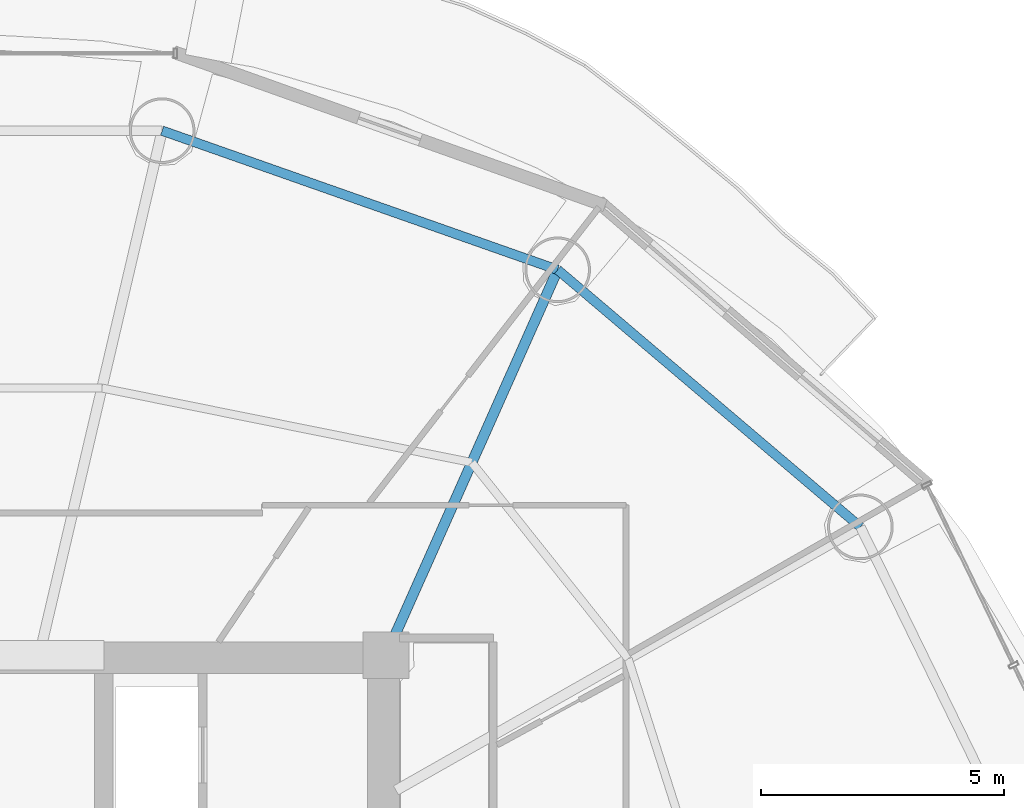
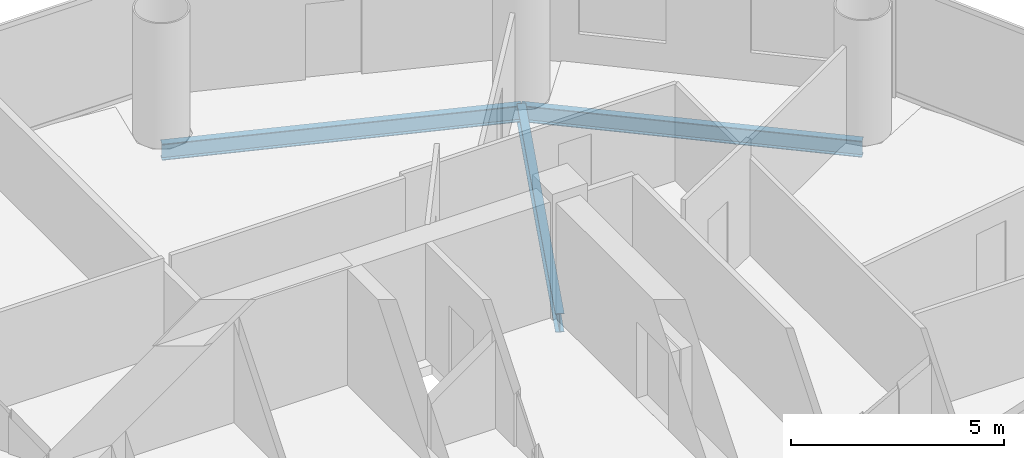
# One storey, part 17 of 26: 3 beams.
"""IFC4 building model written with IfcOpenShell, lengths in metres."""

from ifc_helpers import new_model, si_unit, direction, frame, origin, origin_2d, place, context, subcontext, project, spatial, i_section, extrude, material, material_profile, profile_set, type_object, element, save


model = new_model("IFC4")

# Units and contexts
model_context = context("Model", 3, precision=1e-05, world=origin(), true_north=direction((-0.2419218956, 0.970295726276)))
body_context = subcontext(model_context, "Body", "Model", "MODEL_VIEW")
ifc_project = project(units=[si_unit("LENGTHUNIT", "METRE"), si_unit("AREAUNIT", "SQUARE_METRE"), si_unit("VOLUMEUNIT", "CUBIC_METRE"), si_unit("PLANEANGLEUNIT", "RADIAN"), si_unit("MASSUNIT", "GRAM", prefix="KILO")], contexts=[model_context])

# Site, building, storey
site_placement = place(None, origin())
site = spatial("IfcSite", under=ifc_project, at=site_placement, CompositionType="ELEMENT")
building_placement = place(site_placement, origin())
building = spatial("IfcBuilding", under=site, at=building_placement, Name="Cobrevalo Terracotta Tower", CompositionType="ELEMENT")
storey_placement = place(building_placement, frame((0.0, 0.0, 167.800048828125)))
storey = spatial("IfcBuildingStorey", under=building, at=storey_placement, Name="L44", CompositionType="ELEMENT", Elevation=167.800048828125)

# Beams
ifc_material = material(Name="Steel S355", Category="steel")
ifc_material_profile_1 = material_profile(ifc_material, i_section(OverallWidth=0.2109375, OverallDepth=0.5390625, WebThickness=0.01171875, FlangeThickness=0.018798828125, at=origin_2d()), Name="W 530x109")
ifc_profile_set_1 = profile_set([ifc_material_profile_1], Name="Steel S355")
beam_type_1 = type_object("IfcBeamType", Name="Structural Beam W 530x109 (Steel S355)", PredefinedType="BEAM", material=ifc_profile_set_1)
beam_1_placement = place(storey_placement, frame((50.528076171875, 42.72265625, -0.53955078125), z_axis=(-0.406804395691, -0.913515289224, 0.0), x_axis=(0.913515289224, -0.406804395691, 0.0)))
element("IfcBeam", 1, at=beam_1_placement, inside=storey, type_object=beam_type_1, Name="L44 radial floor girder 03", PredefinedType="BEAM", context=body_context, shape_type="SweptSolid", body=[
    extrude(i_section(OverallWidth=0.2109375, OverallDepth=0.5390625, WebThickness=0.01171875, FlangeThickness=0.018798828125, at=origin_2d()), origin(), (0.0, 0.0, 1.0), 8.672607421875),
])
ifc_material_profile_2 = material_profile(ifc_material, i_section(OverallWidth=0.194091796875, OverallDepth=0.468994140625, WebThickness=0.011474609375, FlangeThickness=0.0205078125, at=origin_2d()), Name="W 460x106")
ifc_profile_set_2 = profile_set([ifc_material_profile_2], Name="Steel S355")
beam_type_2 = type_object("IfcBeamType", Name="Structural Spandrel W 460x106 (Steel S355)", PredefinedType="SPANDREL", material=ifc_profile_set_2)
beam_2_placement = place(storey_placement, frame((56.749755859375, 37.439208984375, -0.504638671875), z_axis=(-0.762240337798, 0.647294112003, 0.0), x_axis=(-0.647294112003, -0.762240337798, 0.0)))
element("IfcBeam", 2, at=beam_2_placement, inside=storey, type_object=beam_type_2, Name="L44 perimeter ring spandrel 02", PredefinedType="SPANDREL", context=body_context, shape_type="SweptSolid", body=[
    extrude(i_section(OverallWidth=0.194091796875, OverallDepth=0.468994140625, WebThickness=0.011474609375, FlangeThickness=0.0205078125, at=origin_2d()), origin(), (0.0, 0.0, 1.0), 8.162353515625),
])
beam_3_placement = place(storey_placement, frame((50.528076171875, 42.72265625, -0.504638671875), z_axis=(-0.943341298492, 0.331824041565, 0.0), x_axis=(-0.331824041565, -0.943341298492, 0.0)))
element("IfcBeam", 3, at=beam_3_placement, inside=storey, type_object=beam_type_2, Name="L44 perimeter ring spandrel 03", PredefinedType="SPANDREL", context=body_context, shape_type="SweptSolid", body=[
    extrude(i_section(OverallWidth=0.194091796875, OverallDepth=0.468994140625, WebThickness=0.011474609375, FlangeThickness=0.0205078125, at=origin_2d()), origin(), (0.0, 0.0, 1.0), 8.6171875),
])

save(model, "model.ifc")
